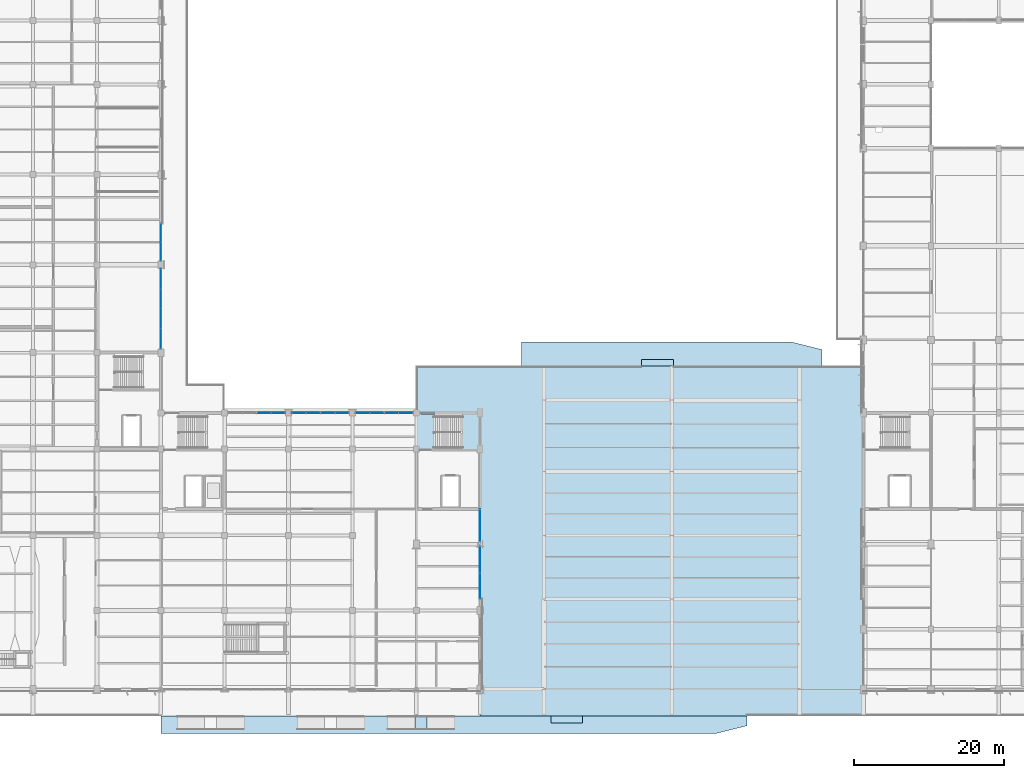
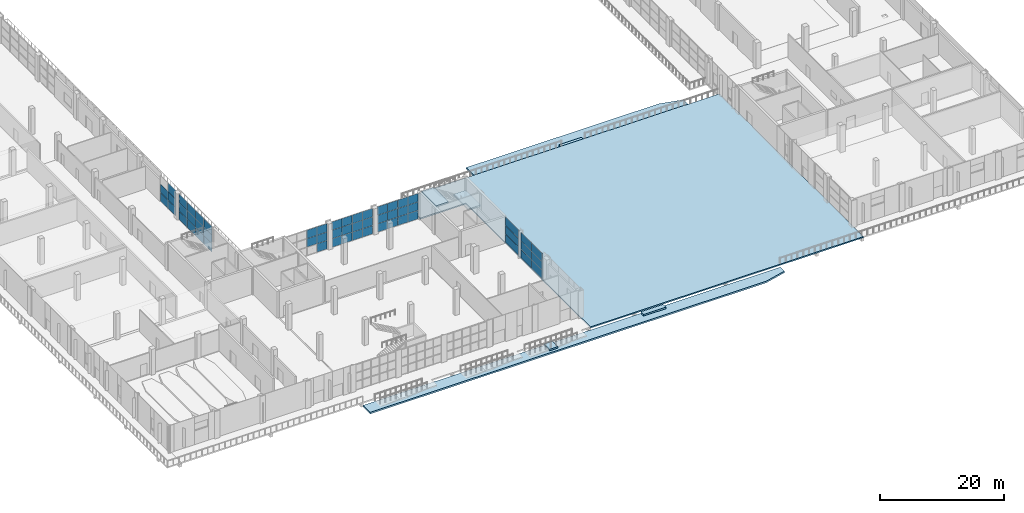
# One storey, part 62 of 90: 55 plates, 8 slabs, 9 elements without a shape of their own.
"""IFC4 building model written with IfcOpenShell, lengths in metres."""

from ifc_helpers import new_model, si_unit, direction, frame, origin, origin_2d, place, context, subcontext, project, spatial, polyline, rectangle, outline, extrude, material, layer, layer_set, type_object, element, aggregate, save


model = new_model("IFC4")

# Units and contexts
model_context = context("Model", 3, precision=1e-05, world=origin(), true_north=direction((0.0, 1.0)))
body_context = subcontext(model_context, "Body", "Model", "MODEL_VIEW")
ifc_project = project(units=[si_unit("LENGTHUNIT", "METRE"), si_unit("AREAUNIT", "SQUARE_METRE"), si_unit("VOLUMEUNIT", "CUBIC_METRE"), si_unit("PLANEANGLEUNIT", "RADIAN"), si_unit("MASSUNIT", "GRAM", prefix="KILO")], contexts=[model_context])

# Site, building, storey
site_placement = place(None, origin())
site = spatial("IfcSite", under=ifc_project, at=site_placement, CompositionType="ELEMENT")
building_placement = place(site_placement, origin())
building = spatial("IfcBuilding", under=site, at=building_placement, Name="Solvikara Media Centre", CompositionType="ELEMENT")
storey_placement = place(building_placement, origin())
storey = spatial("IfcBuildingStorey", under=building, at=storey_placement, Name="L00", CompositionType="ELEMENT", Elevation=0.0)

# Curtain wall, plates
ifc_material_1 = material(Name="Anodised aluminium EN AW-6063", Category="aluminium")
curtain_wall_type_1 = type_object("IfcCurtainWallType", Name="CW-14", PredefinedType="NOTDEFINED", material=ifc_material_1)
curtain_wall_1_placement = place(storey_placement, origin())
curtain_wall_1 = element("IfcCurtainWall", 1, at=curtain_wall_1_placement, inside=storey, type_object=curtain_wall_type_1, Name="CW-L00-V6-ENE-S1", PredefinedType="NOTDEFINED")
ifc_material_2 = material(Name="Double-glazed low-E architectural glass", Category="glass")
ifc_layer_1 = layer(ifc_material_2, 0.035888671875)
ifc_layer_set_1 = layer_set([ifc_layer_1], Name="Double-glazed low-E architectural glass")
plate_type_1 = type_object("IfcPlateType", Name="PN-06", PredefinedType="CURTAIN_PANEL", material=ifc_layer_set_1)
plate_1_placement = place(storey_placement, frame((76.5, 13.77099609375, 0.03466796875), z_axis=(0.0, 0.0, 1.0), x_axis=(0.0, 1.0, 0.0)))
plate_1 = element("IfcPlate", 2, at=plate_1_placement, type_object=plate_type_1, Name="CW-L00-V6-ENE-S1-P0000", PredefinedType="CURTAIN_PANEL", context=body_context, shape_type="SweptSolid", body=[
    extrude(rectangle(XDim=3.44189453125, YDim=0.035888671875, at=origin_2d()), origin(), (0.0, 0.0, 1.0), 1.656982421875),
])
plate_2_placement = place(storey_placement, frame((76.5, 13.77099609375, 3.40869140625), z_axis=(0.0, 0.0, 1.0), x_axis=(0.0, 1.0, 0.0)))
plate_2 = element("IfcPlate", 3, at=plate_2_placement, type_object=plate_type_1, Name="CW-L00-V6-ENE-S1-P0002", PredefinedType="CURTAIN_PANEL", context=body_context, shape_type="SweptSolid", body=[
    extrude(rectangle(XDim=3.44189453125, YDim=0.035888671875, at=origin_2d()), origin(), (0.0, 0.0, 1.0), 1.656982421875),
])
plate_3_placement = place(storey_placement, frame((76.5, 17.242919921875, 1.7216796875), z_axis=(0.0, 0.0, 1.0), x_axis=(0.0, 1.0, 0.0)))
plate_3 = element("IfcPlate", 4, at=plate_3_placement, type_object=plate_type_1, Name="CW-L00-V6-ENE-S1-P0101", PredefinedType="CURTAIN_PANEL", context=body_context, shape_type="SweptSolid", body=[
    extrude(rectangle(XDim=3.44189453125, YDim=0.035888671875, at=origin_2d()), origin(), (0.0, 0.0, 1.0), 1.656982421875),
])

curtain_wall_2_placement = place(storey_placement, origin())
curtain_wall_2 = element("IfcCurtainWall", 5, at=curtain_wall_2_placement, inside=storey, type_object=curtain_wall_type_1, Name="CW-L00-V6-ENE-S2", PredefinedType="NOTDEFINED")
plate_4_placement = place(storey_placement, frame((76.5, 21.81689453125, 0.03466796875), z_axis=(0.0, 0.0, 1.0), x_axis=(0.0, 1.0, 0.0)))
plate_4 = element("IfcPlate", 6, at=plate_4_placement, type_object=plate_type_1, Name="CW-L00-V6-ENE-S2-P0000", PredefinedType="CURTAIN_PANEL", context=body_context, shape_type="SweptSolid", body=[
    extrude(rectangle(XDim=4.26611328125, YDim=0.035888671875, at=origin_2d()), origin(), (0.0, 0.0, 1.0), 1.656982421875),
])
plate_5_placement = place(storey_placement, frame((76.5, 21.81689453125, 3.40869140625), z_axis=(0.0, 0.0, 1.0), x_axis=(0.0, 1.0, 0.0)))
plate_5 = element("IfcPlate", 7, at=plate_5_placement, type_object=plate_type_1, Name="CW-L00-V6-ENE-S2-P0002", PredefinedType="CURTAIN_PANEL", context=body_context, shape_type="SweptSolid", body=[
    extrude(rectangle(XDim=4.26611328125, YDim=0.035888671875, at=origin_2d()), origin(), (0.0, 0.0, 1.0), 1.656982421875),
])

curtain_wall_type_2 = type_object("IfcCurtainWallType", Name="CW-03", PredefinedType="NOTDEFINED", material=ifc_material_1)
curtain_wall_3_placement = place(storey_placement, origin())
curtain_wall_3 = element("IfcCurtainWall", 8, at=curtain_wall_3_placement, inside=storey, type_object=curtain_wall_type_2, Name="CW-L00-CAF-N1", PredefinedType="NOTDEFINED")
plate_6_placement = place(storey_placement, frame((47.702880859375, 36.800048828125, 1.7216796875), z_axis=(0.0, 0.0, 1.0), x_axis=(1.0, 0.0, 0.0)))
plate_6 = element("IfcPlate", 9, at=plate_6_placement, type_object=plate_type_1, Name="CW-L00-CAF-N1-P0201", PredefinedType="CURTAIN_PANEL", context=body_context, shape_type="SweptSolid", body=[
    extrude(rectangle(XDim=1.875, YDim=0.035888671875, at=origin_2d()), origin(), (0.0, 0.0, 1.0), 1.656982421875),
])
plate_7_placement = place(storey_placement, frame((49.60791015625, 36.800048828125, 0.03466796875), z_axis=(0.0, 0.0, 1.0), x_axis=(1.0, 0.0, 0.0)))
plate_7 = element("IfcPlate", 10, at=plate_7_placement, type_object=plate_type_1, Name="CW-L00-CAF-N1-P0300", PredefinedType="CURTAIN_PANEL", context=body_context, shape_type="SweptSolid", body=[
    extrude(rectangle(XDim=1.875, YDim=0.035888671875, at=origin_2d()), origin(), (0.0, 0.0, 1.0), 1.656982421875),
])
plate_8_placement = place(storey_placement, frame((49.60791015625, 36.800048828125, 1.7216796875), z_axis=(0.0, 0.0, 1.0), x_axis=(1.0, 0.0, 0.0)))
plate_8 = element("IfcPlate", 11, at=plate_8_placement, type_object=plate_type_1, Name="CW-L00-CAF-N1-P0301", PredefinedType="CURTAIN_PANEL", context=body_context, shape_type="SweptSolid", body=[
    extrude(rectangle(XDim=1.875, YDim=0.035888671875, at=origin_2d()), origin(), (0.0, 0.0, 1.0), 1.656982421875),
])

curtain_wall_4_placement = place(storey_placement, origin())
curtain_wall_4 = element("IfcCurtainWall", 12, at=curtain_wall_4_placement, inside=storey, type_object=curtain_wall_type_2, Name="CW-L00-CAF-N2", PredefinedType="NOTDEFINED")
plate_9_placement = place(storey_placement, frame((52.39306640625, 36.800048828125, 0.03466796875), z_axis=(0.0, 0.0, 1.0), x_axis=(1.0, 0.0, 0.0)))
plate_9 = element("IfcPlate", 13, at=plate_9_placement, type_object=plate_type_1, Name="CW-L00-CAF-N2-P0000", PredefinedType="CURTAIN_PANEL", context=body_context, shape_type="SweptSolid", body=[
    extrude(rectangle(XDim=1.875, YDim=0.035888671875, at=origin_2d()), origin(), (0.0, 0.0, 1.0), 1.656982421875),
])
plate_10_placement = place(storey_placement, frame((52.39306640625, 36.800048828125, 1.7216796875), z_axis=(0.0, 0.0, 1.0), x_axis=(1.0, 0.0, 0.0)))
plate_10 = element("IfcPlate", 14, at=plate_10_placement, type_object=plate_type_1, Name="CW-L00-CAF-N2-P0001", PredefinedType="CURTAIN_PANEL", context=body_context, shape_type="SweptSolid", body=[
    extrude(rectangle(XDim=1.875, YDim=0.035888671875, at=origin_2d()), origin(), (0.0, 0.0, 1.0), 1.656982421875),
])
plate_11_placement = place(storey_placement, frame((54.298095703125, 36.800048828125, 0.03466796875), z_axis=(0.0, 0.0, 1.0), x_axis=(1.0, 0.0, 0.0)))
plate_11 = element("IfcPlate", 15, at=plate_11_placement, type_object=plate_type_1, Name="CW-L00-CAF-N2-P0100", PredefinedType="CURTAIN_PANEL", context=body_context, shape_type="SweptSolid", body=[
    extrude(rectangle(XDim=1.875, YDim=0.035888671875, at=origin_2d()), origin(), (0.0, 0.0, 1.0), 1.656982421875),
])
plate_12_placement = place(storey_placement, frame((54.298095703125, 36.800048828125, 1.7216796875), z_axis=(0.0, 0.0, 1.0), x_axis=(1.0, 0.0, 0.0)))
plate_12 = element("IfcPlate", 16, at=plate_12_placement, type_object=plate_type_1, Name="CW-L00-CAF-N2-P0101", PredefinedType="CURTAIN_PANEL", context=body_context, shape_type="SweptSolid", body=[
    extrude(rectangle(XDim=1.875, YDim=0.035888671875, at=origin_2d()), origin(), (0.0, 0.0, 1.0), 1.656982421875),
])
plate_13_placement = place(storey_placement, frame((56.202880859375, 36.800048828125, 0.03466796875), z_axis=(0.0, 0.0, 1.0), x_axis=(1.0, 0.0, 0.0)))
plate_13 = element("IfcPlate", 17, at=plate_13_placement, type_object=plate_type_1, Name="CW-L00-CAF-N2-P0200", PredefinedType="CURTAIN_PANEL", context=body_context, shape_type="SweptSolid", body=[
    extrude(rectangle(XDim=1.875, YDim=0.035888671875, at=origin_2d()), origin(), (0.0, 0.0, 1.0), 1.656982421875),
])
plate_14_placement = place(storey_placement, frame((56.202880859375, 36.800048828125, 1.7216796875), z_axis=(0.0, 0.0, 1.0), x_axis=(1.0, 0.0, 0.0)))
plate_14 = element("IfcPlate", 18, at=plate_14_placement, type_object=plate_type_1, Name="CW-L00-CAF-N2-P0201", PredefinedType="CURTAIN_PANEL", context=body_context, shape_type="SweptSolid", body=[
    extrude(rectangle(XDim=1.875, YDim=0.035888671875, at=origin_2d()), origin(), (0.0, 0.0, 1.0), 1.656982421875),
])
plate_15_placement = place(storey_placement, frame((58.10791015625, 36.800048828125, 0.03466796875), z_axis=(0.0, 0.0, 1.0), x_axis=(1.0, 0.0, 0.0)))
plate_15 = element("IfcPlate", 19, at=plate_15_placement, type_object=plate_type_1, Name="CW-L00-CAF-N2-P0300", PredefinedType="CURTAIN_PANEL", context=body_context, shape_type="SweptSolid", body=[
    extrude(rectangle(XDim=1.875, YDim=0.035888671875, at=origin_2d()), origin(), (0.0, 0.0, 1.0), 1.656982421875),
])
plate_16_placement = place(storey_placement, frame((58.10791015625, 36.800048828125, 1.7216796875), z_axis=(0.0, 0.0, 1.0), x_axis=(1.0, 0.0, 0.0)))
plate_16 = element("IfcPlate", 20, at=plate_16_placement, type_object=plate_type_1, Name="CW-L00-CAF-N2-P0301", PredefinedType="CURTAIN_PANEL", context=body_context, shape_type="SweptSolid", body=[
    extrude(rectangle(XDim=1.875, YDim=0.035888671875, at=origin_2d()), origin(), (0.0, 0.0, 1.0), 1.656982421875),
])

curtain_wall_5_placement = place(storey_placement, origin())
curtain_wall_5 = element("IfcCurtainWall", 21, at=curtain_wall_5_placement, inside=storey, type_object=curtain_wall_type_2, Name="CW-L00-CAF-N3", PredefinedType="NOTDEFINED")
plate_17_placement = place(storey_placement, frame((60.89306640625, 36.800048828125, 0.03466796875), z_axis=(0.0, 0.0, 1.0), x_axis=(1.0, 0.0, 0.0)))
plate_17 = element("IfcPlate", 22, at=plate_17_placement, type_object=plate_type_1, Name="CW-L00-CAF-N3-P0000", PredefinedType="CURTAIN_PANEL", context=body_context, shape_type="SweptSolid", body=[
    extrude(rectangle(XDim=1.875, YDim=0.035888671875, at=origin_2d()), origin(), (0.0, 0.0, 1.0), 1.656982421875),
])
plate_18_placement = place(storey_placement, frame((60.89306640625, 36.800048828125, 1.7216796875), z_axis=(0.0, 0.0, 1.0), x_axis=(1.0, 0.0, 0.0)))
plate_18 = element("IfcPlate", 23, at=plate_18_placement, type_object=plate_type_1, Name="CW-L00-CAF-N3-P0001", PredefinedType="CURTAIN_PANEL", context=body_context, shape_type="SweptSolid", body=[
    extrude(rectangle(XDim=1.875, YDim=0.035888671875, at=origin_2d()), origin(), (0.0, 0.0, 1.0), 1.656982421875),
])
plate_19_placement = place(storey_placement, frame((62.798095703125, 36.800048828125, 0.03466796875), z_axis=(0.0, 0.0, 1.0), x_axis=(1.0, 0.0, 0.0)))
plate_19 = element("IfcPlate", 24, at=plate_19_placement, type_object=plate_type_1, Name="CW-L00-CAF-N3-P0100", PredefinedType="CURTAIN_PANEL", context=body_context, shape_type="SweptSolid", body=[
    extrude(rectangle(XDim=1.875, YDim=0.035888671875, at=origin_2d()), origin(), (0.0, 0.0, 1.0), 1.656982421875),
])
plate_20_placement = place(storey_placement, frame((62.798095703125, 36.800048828125, 1.7216796875), z_axis=(0.0, 0.0, 1.0), x_axis=(1.0, 0.0, 0.0)))
plate_20 = element("IfcPlate", 25, at=plate_20_placement, type_object=plate_type_1, Name="CW-L00-CAF-N3-P0101", PredefinedType="CURTAIN_PANEL", context=body_context, shape_type="SweptSolid", body=[
    extrude(rectangle(XDim=1.875, YDim=0.035888671875, at=origin_2d()), origin(), (0.0, 0.0, 1.0), 1.656982421875),
])
plate_21_placement = place(storey_placement, frame((64.702880859375, 36.800048828125, 0.03466796875), z_axis=(0.0, 0.0, 1.0), x_axis=(1.0, 0.0, 0.0)))
plate_21 = element("IfcPlate", 26, at=plate_21_placement, type_object=plate_type_1, Name="CW-L00-CAF-N3-P0200", PredefinedType="CURTAIN_PANEL", context=body_context, shape_type="SweptSolid", body=[
    extrude(rectangle(XDim=1.875, YDim=0.035888671875, at=origin_2d()), origin(), (0.0, 0.0, 1.0), 1.656982421875),
])
plate_22_placement = place(storey_placement, frame((64.702880859375, 36.800048828125, 1.7216796875), z_axis=(0.0, 0.0, 1.0), x_axis=(1.0, 0.0, 0.0)))
plate_22 = element("IfcPlate", 27, at=plate_22_placement, type_object=plate_type_1, Name="CW-L00-CAF-N3-P0201", PredefinedType="CURTAIN_PANEL", context=body_context, shape_type="SweptSolid", body=[
    extrude(rectangle(XDim=1.875, YDim=0.035888671875, at=origin_2d()), origin(), (0.0, 0.0, 1.0), 1.656982421875),
])
plate_23_placement = place(storey_placement, frame((66.60791015625, 36.800048828125, 0.03466796875), z_axis=(0.0, 0.0, 1.0), x_axis=(1.0, 0.0, 0.0)))
plate_23 = element("IfcPlate", 28, at=plate_23_placement, type_object=plate_type_1, Name="CW-L00-CAF-N3-P0300", PredefinedType="CURTAIN_PANEL", context=body_context, shape_type="SweptSolid", body=[
    extrude(rectangle(XDim=1.875, YDim=0.035888671875, at=origin_2d()), origin(), (0.0, 0.0, 1.0), 1.656982421875),
])
plate_24_placement = place(storey_placement, frame((66.60791015625, 36.800048828125, 1.7216796875), z_axis=(0.0, 0.0, 1.0), x_axis=(1.0, 0.0, 0.0)))
plate_24 = element("IfcPlate", 29, at=plate_24_placement, type_object=plate_type_1, Name="CW-L00-CAF-N3-P0301", PredefinedType="CURTAIN_PANEL", context=body_context, shape_type="SweptSolid", body=[
    extrude(rectangle(XDim=1.875, YDim=0.035888671875, at=origin_2d()), origin(), (0.0, 0.0, 1.0), 1.656982421875),
])

# Plate
ifc_material_3 = material(Name="Insulated silver-pearl glass spandrel panel", Category="glass")
ifc_layer_2 = layer(ifc_material_3, 0.054931640625)
ifc_layer_set_2 = layer_set([ifc_layer_2], Name="Insulated silver-pearl glass spandrel panel")
plate_type_2 = type_object("IfcPlateType", Name="PN-07", PredefinedType="CURTAIN_PANEL", material=ifc_layer_set_2)
plate_25_placement = place(storey_placement, frame((76.5, 13.77099609375, 1.7216796875), z_axis=(0.0, 0.0, 1.0), x_axis=(0.0, 1.0, 0.0)))
plate_25 = element("IfcPlate", 30, at=plate_25_placement, type_object=plate_type_2, Name="CW-L00-V6-ENE-S1-P0001", PredefinedType="CURTAIN_PANEL", context=body_context, shape_type="SweptSolid", body=[
    extrude(rectangle(XDim=3.44189453125, YDim=0.054931640625, at=origin_2d()), origin(), (0.0, 0.0, 1.0), 1.656982421875),
])

plate_26_placement = place(storey_placement, frame((76.5, 17.242919921875, 0.03466796875), z_axis=(0.0, 0.0, 1.0), x_axis=(0.0, 1.0, 0.0)))
plate_26 = element("IfcPlate", 31, at=plate_26_placement, type_object=plate_type_2, Name="CW-L00-V6-ENE-S1-P0100", PredefinedType="CURTAIN_PANEL", context=body_context, shape_type="SweptSolid", body=[
    extrude(rectangle(XDim=3.44189453125, YDim=0.054931640625, at=origin_2d()), origin(), (0.0, 0.0, 1.0), 1.656982421875),
])

plate_27_placement = place(storey_placement, frame((76.5, 17.242919921875, 3.40869140625), z_axis=(0.0, 0.0, 1.0), x_axis=(0.0, 1.0, 0.0)))
plate_27 = element("IfcPlate", 32, at=plate_27_placement, type_object=plate_type_2, Name="CW-L00-V6-ENE-S1-P0102", PredefinedType="CURTAIN_PANEL", context=body_context, shape_type="SweptSolid", body=[
    extrude(rectangle(XDim=3.44189453125, YDim=0.054931640625, at=origin_2d()), origin(), (0.0, 0.0, 1.0), 1.656982421875),
])

aggregate(curtain_wall_1, [plate_1, plate_25, plate_2, plate_26, plate_3, plate_27])

plate_28_placement = place(storey_placement, frame((76.5, 21.81689453125, 1.7216796875), z_axis=(0.0, 0.0, 1.0), x_axis=(0.0, 1.0, 0.0)))
plate_28 = element("IfcPlate", 33, at=plate_28_placement, type_object=plate_type_2, Name="CW-L00-V6-ENE-S2-P0001", PredefinedType="CURTAIN_PANEL", context=body_context, shape_type="SweptSolid", body=[
    extrude(rectangle(XDim=4.26611328125, YDim=0.054931640625, at=origin_2d()), origin(), (0.0, 0.0, 1.0), 1.656982421875),
])

aggregate(curtain_wall_2, [plate_4, plate_28, plate_5])

plate_29_placement = place(storey_placement, frame((47.702880859375, 36.800048828125, 3.40869140625), z_axis=(0.0, 0.0, 1.0), x_axis=(1.0, 0.0, 0.0)))
plate_29 = element("IfcPlate", 34, at=plate_29_placement, type_object=plate_type_2, Name="CW-L00-CAF-N1-P0202", PredefinedType="CURTAIN_PANEL", context=body_context, shape_type="SweptSolid", body=[
    extrude(rectangle(XDim=1.875, YDim=0.054931640625, at=origin_2d()), origin(), (0.0, 0.0, 1.0), 1.656982421875),
])

plate_30_placement = place(storey_placement, frame((49.60791015625, 36.800048828125, 3.40869140625), z_axis=(0.0, 0.0, 1.0), x_axis=(1.0, 0.0, 0.0)))
plate_30 = element("IfcPlate", 35, at=plate_30_placement, type_object=plate_type_2, Name="CW-L00-CAF-N1-P0302", PredefinedType="CURTAIN_PANEL", context=body_context, shape_type="SweptSolid", body=[
    extrude(rectangle(XDim=1.875, YDim=0.054931640625, at=origin_2d()), origin(), (0.0, 0.0, 1.0), 1.656982421875),
])

aggregate(curtain_wall_3, [plate_6, plate_29, plate_7, plate_8, plate_30])

plate_31_placement = place(storey_placement, frame((52.39306640625, 36.800048828125, 3.40869140625), z_axis=(0.0, 0.0, 1.0), x_axis=(1.0, 0.0, 0.0)))
plate_31 = element("IfcPlate", 36, at=plate_31_placement, type_object=plate_type_2, Name="CW-L00-CAF-N2-P0002", PredefinedType="CURTAIN_PANEL", context=body_context, shape_type="SweptSolid", body=[
    extrude(rectangle(XDim=1.875, YDim=0.054931640625, at=origin_2d()), origin(), (0.0, 0.0, 1.0), 1.656982421875),
])

plate_32_placement = place(storey_placement, frame((54.298095703125, 36.800048828125, 3.40869140625), z_axis=(0.0, 0.0, 1.0), x_axis=(1.0, 0.0, 0.0)))
plate_32 = element("IfcPlate", 37, at=plate_32_placement, type_object=plate_type_2, Name="CW-L00-CAF-N2-P0102", PredefinedType="CURTAIN_PANEL", context=body_context, shape_type="SweptSolid", body=[
    extrude(rectangle(XDim=1.875, YDim=0.054931640625, at=origin_2d()), origin(), (0.0, 0.0, 1.0), 1.656982421875),
])

plate_33_placement = place(storey_placement, frame((56.202880859375, 36.800048828125, 3.40869140625), z_axis=(0.0, 0.0, 1.0), x_axis=(1.0, 0.0, 0.0)))
plate_33 = element("IfcPlate", 38, at=plate_33_placement, type_object=plate_type_2, Name="CW-L00-CAF-N2-P0202", PredefinedType="CURTAIN_PANEL", context=body_context, shape_type="SweptSolid", body=[
    extrude(rectangle(XDim=1.875, YDim=0.054931640625, at=origin_2d()), origin(), (0.0, 0.0, 1.0), 1.656982421875),
])

plate_34_placement = place(storey_placement, frame((58.10791015625, 36.800048828125, 3.40869140625), z_axis=(0.0, 0.0, 1.0), x_axis=(1.0, 0.0, 0.0)))
plate_34 = element("IfcPlate", 39, at=plate_34_placement, type_object=plate_type_2, Name="CW-L00-CAF-N2-P0302", PredefinedType="CURTAIN_PANEL", context=body_context, shape_type="SweptSolid", body=[
    extrude(rectangle(XDim=1.875, YDim=0.054931640625, at=origin_2d()), origin(), (0.0, 0.0, 1.0), 1.656982421875),
])

aggregate(curtain_wall_4, [plate_9, plate_10, plate_31, plate_11, plate_12, plate_32, plate_13, plate_14, plate_33, plate_15, plate_16, plate_34])

plate_35_placement = place(storey_placement, frame((60.89306640625, 36.800048828125, 3.40869140625), z_axis=(0.0, 0.0, 1.0), x_axis=(1.0, 0.0, 0.0)))
plate_35 = element("IfcPlate", 40, at=plate_35_placement, type_object=plate_type_2, Name="CW-L00-CAF-N3-P0002", PredefinedType="CURTAIN_PANEL", context=body_context, shape_type="SweptSolid", body=[
    extrude(rectangle(XDim=1.875, YDim=0.054931640625, at=origin_2d()), origin(), (0.0, 0.0, 1.0), 1.656982421875),
])

plate_36_placement = place(storey_placement, frame((62.798095703125, 36.800048828125, 3.40869140625), z_axis=(0.0, 0.0, 1.0), x_axis=(1.0, 0.0, 0.0)))
plate_36 = element("IfcPlate", 41, at=plate_36_placement, type_object=plate_type_2, Name="CW-L00-CAF-N3-P0102", PredefinedType="CURTAIN_PANEL", context=body_context, shape_type="SweptSolid", body=[
    extrude(rectangle(XDim=1.875, YDim=0.054931640625, at=origin_2d()), origin(), (0.0, 0.0, 1.0), 1.656982421875),
])

plate_37_placement = place(storey_placement, frame((64.702880859375, 36.800048828125, 3.40869140625), z_axis=(0.0, 0.0, 1.0), x_axis=(1.0, 0.0, 0.0)))
plate_37 = element("IfcPlate", 42, at=plate_37_placement, type_object=plate_type_2, Name="CW-L00-CAF-N3-P0202", PredefinedType="CURTAIN_PANEL", context=body_context, shape_type="SweptSolid", body=[
    extrude(rectangle(XDim=1.875, YDim=0.054931640625, at=origin_2d()), origin(), (0.0, 0.0, 1.0), 1.656982421875),
])

plate_38_placement = place(storey_placement, frame((66.60791015625, 36.800048828125, 3.40869140625), z_axis=(0.0, 0.0, 1.0), x_axis=(1.0, 0.0, 0.0)))
plate_38 = element("IfcPlate", 43, at=plate_38_placement, type_object=plate_type_2, Name="CW-L00-CAF-N3-P0302", PredefinedType="CURTAIN_PANEL", context=body_context, shape_type="SweptSolid", body=[
    extrude(rectangle(XDim=1.875, YDim=0.054931640625, at=origin_2d()), origin(), (0.0, 0.0, 1.0), 1.656982421875),
])

aggregate(curtain_wall_5, [plate_17, plate_18, plate_35, plate_19, plate_20, plate_36, plate_21, plate_22, plate_37, plate_23, plate_24, plate_38])

# Curtain wall, plates
curtain_wall_type_3 = type_object("IfcCurtainWallType", Name="CW-06", PredefinedType="NOTDEFINED", material=ifc_material_1)
curtain_wall_6_placement = place(storey_placement, origin())
curtain_wall_6 = element("IfcCurtainWall", 44, at=curtain_wall_6_placement, inside=storey, type_object=curtain_wall_type_3, Name="CW-L00-V4E-1-S1", PredefinedType="NOTDEFINED")
ifc_layer_3 = layer(ifc_material_2, 0.035888671875)
ifc_layer_set_3 = layer_set([ifc_layer_3], Name="Double-glazed low-E architectural glass")
plate_type_3 = type_object("IfcPlateType", Name="PN-10", PredefinedType="CURTAIN_PANEL", material=ifc_layer_set_3)
plate_39_placement = place(storey_placement, frame((34.0, 46.6669921875, 0.03466796875), z_axis=(0.0, 0.0, 1.0), x_axis=(0.0, 1.0, 0.0)))
plate_39 = element("IfcPlate", 45, at=plate_39_placement, type_object=plate_type_3, Name="CW-L00-V4E-1-S1-P0000", PredefinedType="CURTAIN_PANEL", context=body_context, shape_type="SweptSolid", body=[
    extrude(rectangle(XDim=2.625, YDim=0.035888671875, at=origin_2d()), origin(), (0.0, 0.0, 1.0), 1.656982421875),
])
plate_40_placement = place(storey_placement, frame((34.0, 46.6669921875, 3.40869140625), z_axis=(0.0, 0.0, 1.0), x_axis=(0.0, 1.0, 0.0)))
plate_40 = element("IfcPlate", 46, at=plate_40_placement, type_object=plate_type_3, Name="CW-L00-V4E-1-S1-P0002", PredefinedType="CURTAIN_PANEL", context=body_context, shape_type="SweptSolid", body=[
    extrude(rectangle(XDim=2.625, YDim=0.035888671875, at=origin_2d()), origin(), (0.0, 0.0, 1.0), 1.656982421875),
])
plate_41_placement = place(storey_placement, frame((34.0, 49.322021484375, 1.7216796875), z_axis=(0.0, 0.0, 1.0), x_axis=(0.0, 1.0, 0.0)))
plate_41 = element("IfcPlate", 47, at=plate_41_placement, type_object=plate_type_3, Name="CW-L00-V4E-1-S1-P0101", PredefinedType="CURTAIN_PANEL", context=body_context, shape_type="SweptSolid", body=[
    extrude(rectangle(XDim=2.625, YDim=0.035888671875, at=origin_2d()), origin(), (0.0, 0.0, 1.0), 1.656982421875),
])
plate_42_placement = place(storey_placement, frame((34.0, 51.97705078125, 0.03466796875), z_axis=(0.0, 0.0, 1.0), x_axis=(0.0, 1.0, 0.0)))
plate_42 = element("IfcPlate", 48, at=plate_42_placement, type_object=plate_type_3, Name="CW-L00-V4E-1-S1-P0200", PredefinedType="CURTAIN_PANEL", context=body_context, shape_type="SweptSolid", body=[
    extrude(rectangle(XDim=2.625, YDim=0.035888671875, at=origin_2d()), origin(), (0.0, 0.0, 1.0), 1.656982421875),
])
plate_43_placement = place(storey_placement, frame((34.0, 51.97705078125, 3.40869140625), z_axis=(0.0, 0.0, 1.0), x_axis=(0.0, 1.0, 0.0)))
plate_43 = element("IfcPlate", 49, at=plate_43_placement, type_object=plate_type_3, Name="CW-L00-V4E-1-S1-P0202", PredefinedType="CURTAIN_PANEL", context=body_context, shape_type="SweptSolid", body=[
    extrude(rectangle(XDim=2.625, YDim=0.035888671875, at=origin_2d()), origin(), (0.0, 0.0, 1.0), 1.656982421875),
])
plate_44_placement = place(storey_placement, frame((34.0, 54.632080078125, 1.7216796875), z_axis=(0.0, 0.0, 1.0), x_axis=(0.0, 1.0, 0.0)))
plate_44 = element("IfcPlate", 50, at=plate_44_placement, type_object=plate_type_3, Name="CW-L00-V4E-1-S1-P0301", PredefinedType="CURTAIN_PANEL", context=body_context, shape_type="SweptSolid", body=[
    extrude(rectangle(XDim=2.625, YDim=0.035888671875, at=origin_2d()), origin(), (0.0, 0.0, 1.0), 1.656982421875),
])

curtain_wall_7_placement = place(storey_placement, origin())
curtain_wall_7 = element("IfcCurtainWall", 51, at=curtain_wall_7_placement, inside=storey, type_object=curtain_wall_type_3, Name="CW-L00-V4E-1-S2", PredefinedType="NOTDEFINED")
plate_45_placement = place(storey_placement, frame((34.0, 58.27099609375, 0.03466796875), z_axis=(0.0, 0.0, 1.0), x_axis=(0.0, 1.0, 0.0)))
plate_45 = element("IfcPlate", 52, at=plate_45_placement, type_object=plate_type_3, Name="CW-L00-V4E-1-S2-P0000", PredefinedType="CURTAIN_PANEL", context=body_context, shape_type="SweptSolid", body=[
    extrude(rectangle(XDim=2.43310546875, YDim=0.035888671875, at=origin_2d()), origin(), (0.0, 0.0, 1.0), 1.656982421875),
])
plate_46_placement = place(storey_placement, frame((34.0, 58.27099609375, 3.40869140625), z_axis=(0.0, 0.0, 1.0), x_axis=(0.0, 1.0, 0.0)))
plate_46 = element("IfcPlate", 53, at=plate_46_placement, type_object=plate_type_3, Name="CW-L00-V4E-1-S2-P0002", PredefinedType="CURTAIN_PANEL", context=body_context, shape_type="SweptSolid", body=[
    extrude(rectangle(XDim=2.43310546875, YDim=0.035888671875, at=origin_2d()), origin(), (0.0, 0.0, 1.0), 1.656982421875),
])
plate_47_placement = place(storey_placement, frame((34.0, 60.73388671875, 1.7216796875), z_axis=(0.0, 0.0, 1.0), x_axis=(0.0, 1.0, 0.0)))
plate_47 = element("IfcPlate", 54, at=plate_47_placement, type_object=plate_type_3, Name="CW-L00-V4E-1-S2-P0101", PredefinedType="CURTAIN_PANEL", context=body_context, shape_type="SweptSolid", body=[
    extrude(rectangle(XDim=2.43310546875, YDim=0.035888671875, at=origin_2d()), origin(), (0.0, 0.0, 1.0), 1.656982421875),
])

# Plate
ifc_layer_4 = layer(ifc_material_3, 0.054931640625)
ifc_layer_set_4 = layer_set([ifc_layer_4], Name="Insulated silver-pearl glass spandrel panel")
plate_type_4 = type_object("IfcPlateType", Name="PN-11", PredefinedType="CURTAIN_PANEL", material=ifc_layer_set_4)
plate_48_placement = place(storey_placement, frame((34.0, 46.6669921875, 1.7216796875), z_axis=(0.0, 0.0, 1.0), x_axis=(0.0, 1.0, 0.0)))
plate_48 = element("IfcPlate", 55, at=plate_48_placement, type_object=plate_type_4, Name="CW-L00-V4E-1-S1-P0001", PredefinedType="CURTAIN_PANEL", context=body_context, shape_type="SweptSolid", body=[
    extrude(rectangle(XDim=2.625, YDim=0.054931640625, at=origin_2d()), origin(), (0.0, 0.0, 1.0), 1.656982421875),
])

plate_49_placement = place(storey_placement, frame((34.0, 49.322021484375, 0.03466796875), z_axis=(0.0, 0.0, 1.0), x_axis=(0.0, 1.0, 0.0)))
plate_49 = element("IfcPlate", 56, at=plate_49_placement, type_object=plate_type_4, Name="CW-L00-V4E-1-S1-P0100", PredefinedType="CURTAIN_PANEL", context=body_context, shape_type="SweptSolid", body=[
    extrude(rectangle(XDim=2.625, YDim=0.054931640625, at=origin_2d()), origin(), (0.0, 0.0, 1.0), 1.656982421875),
])

plate_50_placement = place(storey_placement, frame((34.0, 49.322021484375, 3.40869140625), z_axis=(0.0, 0.0, 1.0), x_axis=(0.0, 1.0, 0.0)))
plate_50 = element("IfcPlate", 57, at=plate_50_placement, type_object=plate_type_4, Name="CW-L00-V4E-1-S1-P0102", PredefinedType="CURTAIN_PANEL", context=body_context, shape_type="SweptSolid", body=[
    extrude(rectangle(XDim=2.625, YDim=0.054931640625, at=origin_2d()), origin(), (0.0, 0.0, 1.0), 1.656982421875),
])

plate_51_placement = place(storey_placement, frame((34.0, 51.97705078125, 1.7216796875), z_axis=(0.0, 0.0, 1.0), x_axis=(0.0, 1.0, 0.0)))
plate_51 = element("IfcPlate", 58, at=plate_51_placement, type_object=plate_type_4, Name="CW-L00-V4E-1-S1-P0201", PredefinedType="CURTAIN_PANEL", context=body_context, shape_type="SweptSolid", body=[
    extrude(rectangle(XDim=2.625, YDim=0.054931640625, at=origin_2d()), origin(), (0.0, 0.0, 1.0), 1.656982421875),
])

plate_52_placement = place(storey_placement, frame((34.0, 54.632080078125, 0.03466796875), z_axis=(0.0, 0.0, 1.0), x_axis=(0.0, 1.0, 0.0)))
plate_52 = element("IfcPlate", 59, at=plate_52_placement, type_object=plate_type_4, Name="CW-L00-V4E-1-S1-P0300", PredefinedType="CURTAIN_PANEL", context=body_context, shape_type="SweptSolid", body=[
    extrude(rectangle(XDim=2.625, YDim=0.054931640625, at=origin_2d()), origin(), (0.0, 0.0, 1.0), 1.656982421875),
])

plate_53_placement = place(storey_placement, frame((34.0, 54.632080078125, 3.40869140625), z_axis=(0.0, 0.0, 1.0), x_axis=(0.0, 1.0, 0.0)))
plate_53 = element("IfcPlate", 60, at=plate_53_placement, type_object=plate_type_4, Name="CW-L00-V4E-1-S1-P0302", PredefinedType="CURTAIN_PANEL", context=body_context, shape_type="SweptSolid", body=[
    extrude(rectangle(XDim=2.625, YDim=0.054931640625, at=origin_2d()), origin(), (0.0, 0.0, 1.0), 1.656982421875),
])

aggregate(curtain_wall_6, [plate_39, plate_48, plate_40, plate_49, plate_41, plate_50, plate_42, plate_51, plate_43, plate_52, plate_44, plate_53])

plate_54_placement = place(storey_placement, frame((34.0, 58.27099609375, 1.7216796875), z_axis=(0.0, 0.0, 1.0), x_axis=(0.0, 1.0, 0.0)))
plate_54 = element("IfcPlate", 61, at=plate_54_placement, type_object=plate_type_4, Name="CW-L00-V4E-1-S2-P0001", PredefinedType="CURTAIN_PANEL", context=body_context, shape_type="SweptSolid", body=[
    extrude(rectangle(XDim=2.43310546875, YDim=0.054931640625, at=origin_2d()), origin(), (0.0, 0.0, 1.0), 1.656982421875),
])

plate_55_placement = place(storey_placement, frame((34.0, 60.73388671875, 0.03466796875), z_axis=(0.0, 0.0, 1.0), x_axis=(0.0, 1.0, 0.0)))
plate_55 = element("IfcPlate", 62, at=plate_55_placement, type_object=plate_type_4, Name="CW-L00-V4E-1-S2-P0100", PredefinedType="CURTAIN_PANEL", context=body_context, shape_type="SweptSolid", body=[
    extrude(rectangle(XDim=2.43310546875, YDim=0.054931640625, at=origin_2d()), origin(), (0.0, 0.0, 1.0), 1.656982421875),
])

aggregate(curtain_wall_7, [plate_45, plate_54, plate_46, plate_55, plate_47])

# Slab
ifc_material_4 = material(Name="Concrete fc' 35 MPa (C35/45)", Category="concrete")
ifc_layer_5 = layer(ifc_material_4, 0.25)
ifc_layer_set_5 = layer_set([ifc_layer_5], Name="Concrete fc' 35 MPa (C35/45)")
slab_type_1 = type_object("IfcSlabType", Name="ST-12", PredefinedType="FLOOR", material=ifc_layer_set_5)
slab_1_placement = place(storey_placement, frame((0.0, 0.0, -0.25)))
element("IfcSlab", 63, at=slab_1_placement, inside=storey, type_object=slab_type_1, Name="TER-L00-PASS", PredefinedType="FLOOR", context=body_context, shape_type="SweptSolid", body=[
    extrude(outline(polyline([(76.5, -3.550048828125), (127.5, -3.550048828125), (127.5, 43.0), (68.0, 43.0), (68.0, 36.800048828125), (76.5, 36.800048828125), (76.5, -3.550048828125)])), origin(), (0.0, 0.0, 1.0), 0.25),
])

# Stair, slabs
stair_type = type_object("IfcStairType", Name="SR-04", PredefinedType="HALF_TURN_STAIR", material=ifc_material_4)
stair_placement = place(storey_placement, origin())
stair = element("IfcStair", 64, at=stair_placement, inside=storey, type_object=stair_type, Name="ST-C3-L00", PredefinedType="HALF_TURN_STAIR")
ifc_layer_6 = layer(ifc_material_4, 0.330078125)
ifc_layer_set_6 = layer_set([ifc_layer_6], Name="Concrete fc' 35 MPa (C35/45)")
slab_type_2 = type_object("IfcSlabType", Name="ST-15", PredefinedType="LANDING", material=ifc_layer_set_6)
slab_2_placement = place(storey_placement, frame((0.0, 0.0, 2.3701171875)))
slab_2 = element("IfcSlab", 65, at=slab_2_placement, type_object=slab_type_2, Name="ST-C3-L00-LND", PredefinedType="LANDING", context=body_context, shape_type="SweptSolid", body=[
    extrude(outline(polyline([(74.080078125, 31.85009765625), (76.3798828125, 31.85009765625), (76.3798828125, 36.6201171875), (74.080078125, 36.6201171875), (74.080078125, 31.85009765625)])), origin(), (0.0, 0.0, 1.0), 0.329833984375),
])
slab_3_placement = place(storey_placement, frame((0.0, 0.0, 5.070068359375)))
slab_3 = element("IfcSlab", 66, at=slab_3_placement, type_object=slab_type_2, Name="ST-C3-L00-ARR", PredefinedType="LANDING", context=body_context, shape_type="SweptSolid", body=[
    extrude(outline(polyline([(68.1201171875, 31.85009765625), (70.39990234375, 31.85009765625), (70.39990234375, 36.6201171875), (68.1201171875, 36.6201171875), (68.1201171875, 31.85009765625)])), origin(), (0.0, 0.0, 1.0), 0.329833984375),
])
aggregate(stair, [slab_2, slab_3])

# Ramp, slab
ramp_type = type_object("IfcRampType", Name="RP-01", PredefinedType="TWO_STRAIGHT_RUN_RAMP", material=ifc_material_4)
ramp_placement = place(storey_placement, origin())
ramp = element("IfcRamp", 67, at=ramp_placement, inside=storey, type_object=ramp_type, Name="RMP-03", PredefinedType="TWO_STRAIGHT_RUN_RAMP")
ifc_layer_7 = layer(ifc_material_4, 0.2900390625)
ifc_layer_set_7 = layer_set([ifc_layer_7], Name="Concrete fc' 35 MPa (C35/45)")
slab_type_3 = type_object("IfcSlabType", Name="ST-16", PredefinedType="LANDING", material=ifc_layer_set_7)
slab_4_placement = place(storey_placement, frame((0.0, 0.0, -0.590087890625)))
slab_4 = element("IfcSlab", 68, at=slab_4_placement, type_object=slab_type_3, Name="RPLM-03", PredefinedType="LANDING", context=body_context, shape_type="SweptSolid", body=[
    extrude(outline(polyline([(67.800048828125, -5.35009765625), (69.39990234375, -5.35009765625), (69.39990234375, -3.550048828125), (67.800048828125, -3.550048828125), (67.800048828125, -5.35009765625)])), origin(), (0.0, 0.0, 1.0), 0.2900390625),
])
aggregate(ramp, [slab_4])

# Slabs
ifc_layer_8 = layer(ifc_material_4, 0.300048828125)
ifc_layer_set_8 = layer_set([ifc_layer_8], Name="Concrete fc' 35 MPa (C35/45)")
slab_type_4 = type_object("IfcSlabType", Name="ST-17", PredefinedType="USERDEFINED", material=ifc_layer_set_8)
slab_5_placement = place(storey_placement, frame((0.0, 0.0, -0.60009765625)))
element("IfcSlab", 69, at=slab_5_placement, inside=storey, type_object=slab_type_4, Name="TER-L00-STP-S", ObjectType="SEATING TIER", PredefinedType="USERDEFINED", context=body_context, shape_type="SweptSolid", body=[
    extrude(outline(polyline([(85.89990234375, -4.449951171875), (90.10009765625, -4.449951171875), (90.10009765625, -3.550048828125), (85.89990234375, -3.550048828125), (85.89990234375, -4.449951171875)])), origin(), (0.0, 0.0, 1.0), 0.300048828125),
])
slab_6_placement = place(storey_placement, frame((0.0, 0.0, -0.60009765625)))
element("IfcSlab", 70, at=slab_6_placement, inside=storey, type_object=slab_type_4, Name="TER-L00-STP-N", ObjectType="SEATING TIER", PredefinedType="USERDEFINED", context=body_context, shape_type="SweptSolid", body=[
    extrude(outline(polyline([(98.0, 43.0), (102.199951171875, 43.0), (102.199951171875, 43.89990234375), (98.0, 43.89990234375), (98.0, 43.0)])), origin(), (0.0, 0.0, 1.0), 0.300048828125),
])
ifc_layer_9 = layer(ifc_material_4, 0.320068359375)
ifc_layer_set_9 = layer_set([ifc_layer_9], Name="Concrete fc' 35 MPa (C35/45)")
slab_type_5 = type_object("IfcSlabType", Name="ST-27", PredefinedType="BASESLAB", material=ifc_layer_set_9)
slab_7_placement = place(storey_placement, frame((0.0, 0.0, -0.919921875)))
element("IfcSlab", 71, at=slab_7_placement, inside=storey, type_object=slab_type_5, Name="TER-L00-ST-S", PredefinedType="BASESLAB", context=body_context, shape_type="SweptSolid", body=[
    extrude(outline(polyline([(34.0, -5.85009765625), (108.0, -5.85009765625), (112.0, -4.85009765625), (112.0, -3.550048828125), (34.0, -3.550048828125), (34.0, -5.85009765625)])), origin(), (0.0, 0.0, 1.0), 0.31982421875),
])
slab_8_placement = place(storey_placement, frame((0.0, 0.0, -0.919921875)))
element("IfcSlab", 72, at=slab_8_placement, inside=storey, type_object=slab_type_5, Name="TER-L00-ST-N", PredefinedType="BASESLAB", context=body_context, shape_type="SweptSolid", body=[
    extrude(outline(polyline([(82.0, 43.0), (122.0, 43.0), (122.0, 45.199951171875), (118.0, 46.199951171875), (82.0, 46.199951171875), (82.0, 43.0)])), origin(), (0.0, 0.0, 1.0), 0.31982421875),
])

save(model, "model.ifc")
